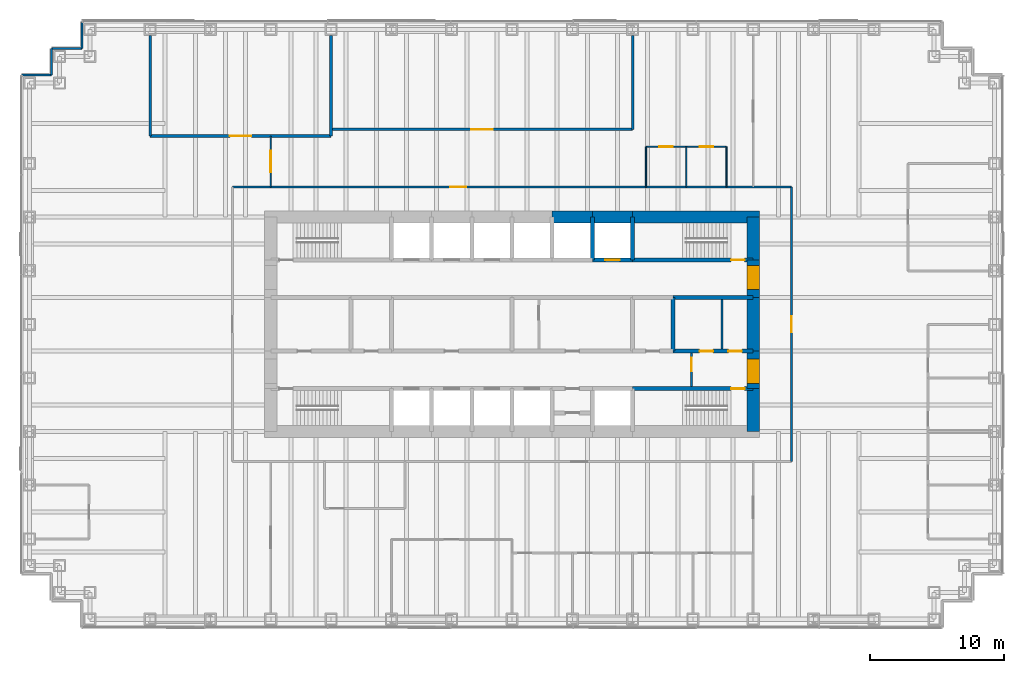
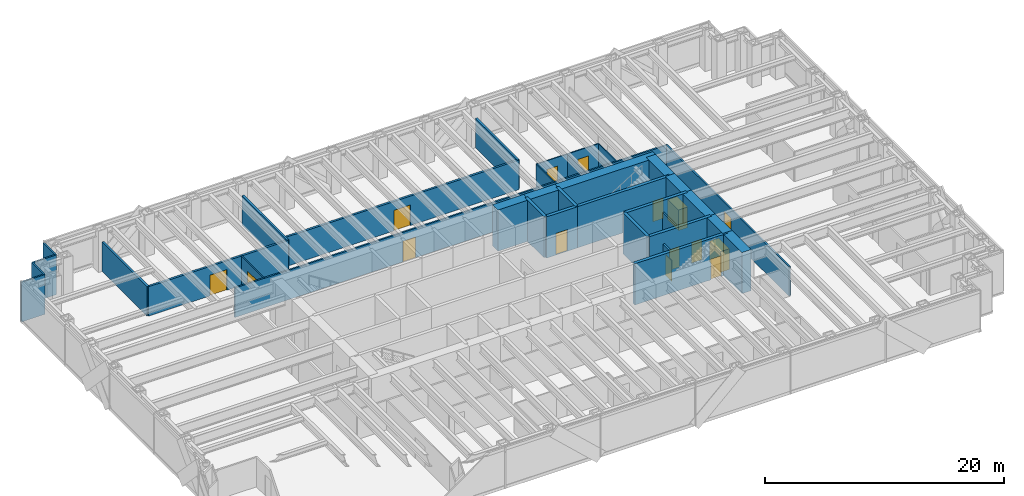
# One storey, part 15 of 17: 34 walls, 15 doors, 15 openings.
"""IFC4 building model written with IfcOpenShell, lengths in metres."""

import ifcopenshell
import ifcopenshell.guid

model = None  # the IFC model being written
_history = None  # IfcOwnerHistory: only IFC2X3 demands one
_inside = {}  # id of a spatial element -> (the spatial element, [elements in it])
_under = {}  # id of a project, library or spatial element -> (it, [spatial elements below it])
_declared = {}  # id of a project -> (the project, [libraries it declares])
_typed = {}  # id of a type object -> (the type object, [elements of that type])
_made_of = {}  # id of a material, layer set ... -> (it, [elements and type objects made of it])


def new_model(schema):
    """Start an empty IFC model of exactly this schema.

    Asked for "IFC4X3", IfcOpenShell would pick the latest addendum, in which some entities
    have other attributes; the version numbers below select the first issue.
    IFC2X3 requires an IfcOwnerHistory on every rooted entity: one is made here for all.
    """
    global model, _history
    if schema == "IFC4X3":
        model = ifcopenshell.file(schema_version=(4, 3, 0, 0))
    else:
        model = ifcopenshell.file(schema=schema)
    _inside.clear()
    _under.clear()
    _declared.clear()
    _typed.clear()
    _made_of.clear()
    _history = None
    if model.schema == "IFC2X3":
        org = make("IfcOrganization", Name="unknown")
        user = make(
            "IfcPersonAndOrganization",
            ThePerson=make("IfcPerson", FamilyName="unknown"),
            TheOrganization=org,
        )
        app = make(
            "IfcApplication",
            ApplicationDeveloper=org,
            Version="unknown",
            ApplicationFullName="unknown",
            ApplicationIdentifier="unknown",
        )
        _history = make(
            "IfcOwnerHistory",
            OwningUser=user,
            OwningApplication=app,
            ChangeAction="ADDED",
            CreationDate=0,
        )
    return model


def make(cls, **values):
    """One entity of the class cls with the attributes given. An attribute that is None is left unset."""
    return model.create_entity(
        cls, **{name: value for name, value in values.items() if value is not None}
    )


def rooted(cls, **values):
    """An entity with a GlobalId (a new one), such as an element, a storey or a relation."""
    return make(cls, GlobalId=ifcopenshell.guid.new(), OwnerHistory=_history, **values)


def si_unit(unit_type, name, prefix=None):
    """IfcSIUnit, for example si_unit("LENGTHUNIT", "METRE", prefix="MILLI")."""
    return make("IfcSIUnit", UnitType=unit_type, Prefix=prefix, Name=name)


def assignment(units):
    """IfcUnitAssignment: the units of a project."""
    return None if units is None else make("IfcUnitAssignment", Units=units)


def point(xyz):
    """IfcCartesianPoint."""
    return None if xyz is None else make("IfcCartesianPoint", Coordinates=xyz)


def direction(xyz):
    """IfcDirection."""
    return None if xyz is None else make("IfcDirection", DirectionRatios=xyz)


def frame(location, z_axis=None, x_axis=None):
    """IfcAxis2Placement3D, a coordinate frame: its origin and axes. An axis left out is left unset."""
    return make(
        "IfcAxis2Placement3D",
        Location=point(location),
        Axis=direction(z_axis),
        RefDirection=direction(x_axis),
    )


def frame_2d(location, x_axis=None):
    """IfcAxis2Placement2D, a coordinate frame in the plane: its origin and x axis."""
    return make(
        "IfcAxis2Placement2D", Location=point(location), RefDirection=direction(x_axis)
    )


def origin():
    """The frame at (0, 0, 0) with its axes left unset."""
    return frame((0.0, 0.0, 0.0))


def place(relative_to, where):
    """IfcLocalPlacement: puts the frame where relative to a parent placement (None: the world)."""
    return make(
        "IfcLocalPlacement", PlacementRelTo=relative_to, RelativePlacement=where
    )


def context(
    kind, dimensions, precision=None, world=None, true_north=None, identifier=None
):
    """IfcGeometricRepresentationContext, for example the 3D "Model" context."""
    return make(
        "IfcGeometricRepresentationContext",
        ContextIdentifier=identifier,
        ContextType=kind,
        CoordinateSpaceDimension=dimensions,
        Precision=precision,
        WorldCoordinateSystem=world,
        TrueNorth=true_north,
    )


def subcontext(parent, identifier, kind, view, scale=None):
    """IfcGeometricRepresentationSubContext, for example "Body" below "Model"."""
    return make(
        "IfcGeometricRepresentationSubContext",
        ContextIdentifier=identifier,
        ContextType=kind,
        ParentContext=parent,
        TargetScale=scale,
        TargetView=view,
    )


def project(units=None, contexts=None):
    """IfcProject with its units and contexts."""
    return rooted(
        "IfcProject",
        Name="project",
        RepresentationContexts=contexts,
        UnitsInContext=assignment(units),
    )


def spatial(cls, under=None, at=None, **own):
    """A site, building, storey or space (cls), placed at a placement, below another one or the project."""
    s = rooted(cls, ObjectPlacement=at, **own)
    if under is not None:
        _under.setdefault(under.id(), (under, []))[1].append(s)
    return s


def profile(cls, at=None, kind="AREA", **sizes):
    """A parametric profile (cls). Its sizes go by their IFC names, for example OverallWidth=200.0."""
    return make(cls, ProfileType=kind, Position=at, **sizes)


def rectangle(**sizes):
    """IfcRectangleProfileDef."""
    return profile("IfcRectangleProfileDef", **sizes)


def extrude(swept, where, along, depth):
    """IfcExtrudedAreaSolid: the profile swept, set in the frame where, extruded along a direction by depth."""
    return make(
        "IfcExtrudedAreaSolid",
        SweptArea=swept,
        Position=where,
        ExtrudedDirection=direction(along),
        Depth=depth,
    )


def shape(context_of_items, identifier, shape_type, items):
    """IfcShapeRepresentation: the items that make up one representation, for example the "Body"."""
    return make(
        "IfcShapeRepresentation",
        ContextOfItems=context_of_items,
        RepresentationIdentifier=identifier,
        RepresentationType=shape_type,
        Items=items,
    )


def material(Name=None, Category=None):
    """IfcMaterial."""
    return make("IfcMaterial", Name=Name, Category=Category)


def layer(
    of_material, thickness, ventilated=None, Name=None, Category=None, Priority=None
):
    """IfcMaterialLayer: one layer of a wall or slab, of a material (None: an air gap)."""
    return make(
        "IfcMaterialLayer",
        Material=of_material,
        LayerThickness=thickness,
        IsVentilated=ventilated,
        Name=Name,
        Category=Category,
        Priority=Priority,
    )


def layer_set(layers, Name=None):
    """IfcMaterialLayerSet."""
    return make("IfcMaterialLayerSet", MaterialLayers=layers, LayerSetName=Name)


def made_of(thing, what):
    """Note that an element or type object is made of a material, layer set ...; save() writes the relation."""
    if what is not None:
        _made_of.setdefault(what.id(), (what, []))[1].append(thing)
    return thing


def type_object(cls, material=None, **own):
    """A type object (cls), such as IfcWallType, which elements share."""
    return made_of(rooted(cls, **own), material)


def element(
    cls,
    number,
    at=None,
    inside=None,
    cuts=None,
    type_object=None,
    material=None,
    context=None,
    identifier="Body",
    shape_type=None,
    held_by="IfcProductDefinitionShape",
    body=None,
    shapes=None,
    **own,
):
    """One element of the class cls, such as IfcWall. Its Tag is "e" and its number.

    at: its placement. inside: the storey or other place that contains it. cuts: it is an
    opening in that element (IfcRelVoidsElement). A single representation is given by context,
    identifier, shape_type and body (its items); several are given by shapes. held_by: the class
    of the entity that holds the representations. save() writes the other relations.
    """
    e = rooted(cls, Tag="e%d" % number, ObjectPlacement=at, **own)
    if body is not None:
        shapes = [shape(context, identifier, shape_type, body)]
    if shapes is not None:
        e.Representation = make(held_by, Representations=shapes)
    if inside is not None:
        _inside.setdefault(inside.id(), (inside, []))[1].append(e)
    if cuts is not None:
        rooted(
            "IfcRelVoidsElement", RelatingBuildingElement=cuts, RelatedOpeningElement=e
        )
    if type_object is not None:
        _typed.setdefault(type_object.id(), (type_object, []))[1].append(e)
    return made_of(e, material)


def fill(opening, filler):
    """IfcRelFillsElement: the door or window that sits in an opening."""
    return rooted(
        "IfcRelFillsElement",
        RelatingOpeningElement=opening,
        RelatedBuildingElement=filler,
    )


def aggregate(whole, parts):
    """IfcRelAggregates: a whole, such as a stair, and the parts it consists of."""
    return rooted("IfcRelAggregates", RelatingObject=whole, RelatedObjects=parts)


def save(model, path):
    """Write the relations noted so far, then the file.

    IfcRelAggregates (storeys below a building ...), IfcRelContainedInSpatialStructure (elements
    in a storey), IfcRelDefinesByType, IfcRelAssociatesMaterial and IfcRelDeclares: one each for
    every whole, place, type object, material and project.
    """
    for whole, parts in _under.values():
        aggregate(whole, parts)
    for where, things in _inside.values():
        rooted(
            "IfcRelContainedInSpatialStructure",
            RelatedElements=things,
            RelatingStructure=where,
        )
    for kind, things in _typed.values():
        rooted("IfcRelDefinesByType", RelatedObjects=things, RelatingType=kind)
    for what, things in _made_of.values():
        rooted("IfcRelAssociatesMaterial", RelatedObjects=things, RelatingMaterial=what)
    for by, libraries in _declared.values():
        rooted("IfcRelDeclares", RelatingContext=by, RelatedDefinitions=libraries)
    model.write(path)


model = new_model("IFC4")

# Units and contexts
model_context = context("Model", 3, precision=1e-05, world=origin(), true_north=direction((0.0, 1.0)))
body_context = subcontext(model_context, "Body", "Model", "MODEL_VIEW")
ifc_project = project(units=[si_unit("LENGTHUNIT", "METRE"), si_unit("AREAUNIT", "SQUARE_METRE"), si_unit("VOLUMEUNIT", "CUBIC_METRE"), si_unit("PLANEANGLEUNIT", "RADIAN"), si_unit("MASSUNIT", "GRAM", prefix="KILO")], contexts=[model_context])

# Site, building, storey
site_placement = place(None, origin())
site = spatial("IfcSite", under=ifc_project, at=site_placement, CompositionType="ELEMENT")
building_placement = place(site_placement, origin())
building = spatial("IfcBuilding", under=site, at=building_placement, Name="Rheinbord Bourse Tower", CompositionType="ELEMENT")
storey_placement = place(building_placement, frame((0.0, 0.0, 129.89990234375)))
storey = spatial("IfcBuildingStorey", under=building, at=storey_placement, Name="L28", CompositionType="ELEMENT", Elevation=129.89990234375)

# Wall, opening, door
ifc_material_1 = material(Name="Acoustic gypsum board partition", Category="gypsum board")
ifc_layer_1 = layer(ifc_material_1, 0.199951171875)
ifc_layer_set_1 = layer_set([ifc_layer_1], Name="ACOUSTIC PARTITION 200")
wall_type_1 = type_object("IfcWallType", Name="ACOUSTIC PARTITION 200", PredefinedType="PARTITIONING", material=ifc_layer_set_1)
wall_1_placement = place(storey_placement, frame((9.0, 38.050048828125, 0.0), z_axis=(0.0, 0.0, 1.0), x_axis=(1.0, 0.0, 0.0)))
wall_1 = element("IfcWall", 1, at=wall_1_placement, inside=storey, type_object=wall_type_1, Name="Partition L28-18", PredefinedType="PARTITIONING", context=body_context, shape_type="SweptSolid", body=[
    extrude(rectangle(XDim=13.5, YDim=0.199951171875, at=frame_2d((6.75, 0.0))), origin(), (0.0, 0.0, 1.0), 3.0),
])
opening_1_placement = place(wall_1_placement, frame((5.949951171875, 0.0, 0.0)))
opening_1 = element("IfcOpeningElement", 2, at=opening_1_placement, cuts=wall_1, Name="Opening 28D15", PredefinedType="OPENING", context=body_context, shape_type="SweptSolid", body=[
    extrude(rectangle(XDim=1.60009765625, YDim=2.10009765625, at=frame_2d((0.800048828125, 1.050048828125))), frame((0.0, 0.10986328125, 0.0), z_axis=(0.0, -1.0, 0.0), x_axis=(1.0, 0.0, 0.0)), (0.0, 0.0, 1.0), 0.219970703125),
])
ifc_material_2 = material(Name="Timber door", Category="wood")
door_type_1 = type_object("IfcDoorType", Name="DOUBLE ROOM DOOR 1600", OperationType="DOUBLE_DOOR_DOUBLE_SWING", PredefinedType="DOOR", material=ifc_material_2)
door_1_placement = place(opening_1_placement, origin())
door_1 = element("IfcDoor", 3, at=door_1_placement, inside=storey, type_object=door_type_1, Name="Index committee room door L28", OperationType="SINGLE_SWING_LEFT", OverallHeight=2.10009765625, OverallWidth=1.60009765625, PredefinedType="DOOR", context=body_context, shape_type="SweptSolid", body=[
    extrude(rectangle(XDim=1.60009765625, YDim=2.10009765625, at=frame_2d((0.800048828125, 1.050048828125))), frame((0.0, 0.02490234375, 0.0), z_axis=(0.0, -1.0, 0.0), x_axis=(1.0, 0.0, 0.0)), (0.0, 0.0, 1.0), 0.050048828125),
])
fill(opening_1, door_1)

wall_2_placement = place(storey_placement, frame((22.5, 38.550048828125, 0.0), z_axis=(0.0, 0.0, 1.0), x_axis=(1.0, 0.0, 0.0)))
wall_2 = element("IfcWall", 4, at=wall_2_placement, inside=storey, type_object=wall_type_1, Name="Partition L28-19", PredefinedType="PARTITIONING", context=body_context, shape_type="SweptSolid", body=[
    extrude(rectangle(XDim=22.5, YDim=0.199951171875, at=frame_2d((11.25, 0.0))), origin(), (0.0, 0.0, 1.0), 3.0),
])
opening_2_placement = place(wall_2_placement, frame((10.449951171875, 0.0, 0.0)))
opening_2 = element("IfcOpeningElement", 5, at=opening_2_placement, cuts=wall_2, Name="Opening 28D16", PredefinedType="OPENING", context=body_context, shape_type="SweptSolid", body=[
    extrude(rectangle(XDim=1.60009765625, YDim=2.10009765625, at=frame_2d((0.800048828125, 1.050048828125))), frame((0.0, 0.10986328125, 0.0), z_axis=(0.0, -1.0, 0.0), x_axis=(1.0, 0.0, 0.0)), (0.0, 0.0, 1.0), 0.219970703125),
])
door_2_placement = place(opening_2_placement, origin())
door_2 = element("IfcDoor", 6, at=door_2_placement, inside=storey, type_object=door_type_1, Name="Data operations room door L28", OperationType="SINGLE_SWING_LEFT", OverallHeight=2.10009765625, OverallWidth=1.60009765625, PredefinedType="DOOR", context=body_context, shape_type="SweptSolid", body=[
    extrude(rectangle(XDim=1.60009765625, YDim=2.10009765625, at=frame_2d((0.800048828125, 1.050048828125))), frame((0.0, 0.02490234375, 0.0), z_axis=(0.0, -1.0, 0.0), x_axis=(1.0, 0.0, 0.0)), (0.0, 0.0, 1.0), 0.050048828125),
])
fill(opening_2, door_2)

# Walls
for number, where, z_axis, x_axis, name in (
    (7, (9.0, 38.050048828125, 0.0), (0.0, 0.0, 1.0), (0.0, 1.0, 0.0), "Partition L28-21"),
    (8, (22.5, 38.050048828125, 0.0), (0.0, 0.0, 1.0), (0.0, 1.0, 0.0), "Partition L28-26"),
):
    element("IfcWall", number, at=place(storey_placement, frame(where, z_axis=z_axis, x_axis=x_axis)), inside=storey, type_object=wall_type_1, Name=name, PredefinedType="PARTITIONING", context=body_context, shape_type="SweptSolid", body=[
        extrude(rectangle(XDim=7.5, YDim=0.199951171875, at=frame_2d((3.75, 0.0))), origin(), (0.0, 0.0, 1.0), 3.0),
    ])
wall_3_placement = place(storey_placement, frame((45.0, 38.550048828125, 0.0), z_axis=(0.0, 0.0, 1.0), x_axis=(0.0, 1.0, 0.0)))
element("IfcWall", 9, at=wall_3_placement, inside=storey, type_object=wall_type_1, Name="Partition L28-33", PredefinedType="PARTITIONING", context=body_context, shape_type="SweptSolid", body=[
    extrude(rectangle(XDim=7.0, YDim=0.199951171875, at=frame_2d((3.5, 0.0))), origin(), (0.0, 0.0, 1.0), 3.0),
])

# Wall, opening, door
ifc_material_3 = material(Name="Concrete C50/60", Category="concrete")
ifc_layer_2 = layer(ifc_material_3, 0.300048828125)
ifc_layer_set_2 = layer_set([ifc_layer_2], Name="CORE INNER WALL 300")
wall_type_2 = type_object("IfcWallType", Name="CORE INNER WALL 300", PredefinedType="SOLIDWALL", material=ifc_layer_set_2)
wall_4_placement = place(storey_placement, frame((45.0, 19.199951171875, 0.0), z_axis=(0.0, 0.0, 1.0), x_axis=(1.0, 0.0, 0.0)))
wall_4 = element("IfcWall", 10, at=wall_4_placement, inside=storey, type_object=wall_type_2, Name="Core wall A8 L28", PredefinedType="SOLIDWALL", context=body_context, shape_type="SweptSolid", body=[
    extrude(rectangle(XDim=9.0, YDim=0.300048828125, at=frame_2d((4.5, 0.0))), origin(), (0.0, 0.0, 1.0), 4.2001953125),
])
opening_3_placement = place(wall_4_placement, frame((7.35009765625, 0.0, 0.0)))
opening_3 = element("IfcOpeningElement", 11, at=opening_3_placement, cuts=wall_4, Name="Opening 2830", PredefinedType="OPENING", context=body_context, shape_type="SweptSolid", body=[
    extrude(rectangle(XDim=1.0, YDim=2.10009765625, at=frame_2d((0.5, 1.050048828125))), frame((0.0, 0.159912109375, 0.0), z_axis=(0.0, -1.0, 0.0), x_axis=(1.0, 0.0, 0.0)), (0.0, 0.0, 1.0), 0.320068359375),
])
ifc_material_4 = material(Name="Steel door", Category="steel")
door_type_2 = type_object("IfcDoorType", Name="DOOR 1000 EI30", OperationType="SINGLE_SWING_LEFT", PredefinedType="DOOR", material=ifc_material_4)
door_3_placement = place(opening_3_placement, origin())
door_3 = element("IfcDoor", 12, at=door_3_placement, inside=storey, type_object=door_type_2, Name="Stair door ST3 L28", OperationType="SINGLE_SWING_RIGHT", OverallHeight=2.10009765625, OverallWidth=1.0, PredefinedType="DOOR", context=body_context, shape_type="SweptSolid", body=[
    extrude(rectangle(XDim=1.0, YDim=2.10009765625, at=frame_2d((0.5, 1.050048828125))), frame((0.0, 0.02490234375, 0.0), z_axis=(0.0, -1.0, 0.0), x_axis=(1.0, 0.0, 0.0)), (0.0, 0.0, 1.0), 0.050048828125),
])
fill(opening_3, door_3)

wall_5_placement = place(storey_placement, frame((42.0, 28.800048828125, 0.0), z_axis=(0.0, 0.0, 1.0), x_axis=(1.0, 0.0, 0.0)))
wall_5 = element("IfcWall", 13, at=wall_5_placement, inside=storey, type_object=wall_type_2, Name="Core wall B7 L28", PredefinedType="SOLIDWALL", context=body_context, shape_type="SweptSolid", body=[
    extrude(rectangle(XDim=3.0, YDim=0.300048828125, at=frame_2d((1.5, 0.0))), origin(), (0.0, 0.0, 1.0), 4.2001953125),
])
opening_4_placement = place(wall_5_placement, frame((0.949951171875, 0.0, 0.0)))
opening_4 = element("IfcOpeningElement", 14, at=opening_4_placement, cuts=wall_5, Name="Opening FL2", PredefinedType="OPENING", context=body_context, shape_type="SweptSolid", body=[
    extrude(rectangle(XDim=1.10009765625, YDim=2.199951171875, at=frame_2d((0.550048828125, 1.10009765625))), frame((0.0, 0.159912109375, 0.0), z_axis=(0.0, -1.0, 0.0), x_axis=(1.0, 0.0, 0.0)), (0.0, 0.0, 1.0), 0.320068359375),
])
ifc_material_5 = material(Name="Steel landing door", Category="steel")
door_type_3 = type_object("IfcDoorType", Name="LIFT LANDING DOOR 1100", OperationType="DOUBLE_DOOR_SLIDING", PredefinedType="USERDEFINED", material=ifc_material_5)
door_4_placement = place(opening_4_placement, origin())
door_4 = element("IfcDoor", 15, at=door_4_placement, inside=storey, type_object=door_type_3, Name="Lift landing door FL2 L28", ObjectType="LIFT LANDING DOOR", OperationType="DOUBLE_DOOR_SLIDING", OverallHeight=2.199951171875, OverallWidth=1.10009765625, PredefinedType="USERDEFINED", context=body_context, shape_type="SweptSolid", body=[
    extrude(rectangle(XDim=1.10009765625, YDim=2.199951171875, at=frame_2d((0.550048828125, 1.10009765625))), frame((0.0, 0.02490234375, 0.0), z_axis=(0.0, -1.0, 0.0), x_axis=(1.0, 0.0, 0.0)), (0.0, 0.0, 1.0), 0.050048828125),
])
fill(opening_4, door_4)

wall_6_placement = place(storey_placement, frame((45.0, 28.800048828125, 0.0), z_axis=(0.0, 0.0, 1.0), x_axis=(1.0, 0.0, 0.0)))
wall_6 = element("IfcWall", 16, at=wall_6_placement, inside=storey, type_object=wall_type_2, Name="Core wall B8 L28", PredefinedType="SOLIDWALL", context=body_context, shape_type="SweptSolid", body=[
    extrude(rectangle(XDim=9.0, YDim=0.300048828125, at=frame_2d((4.5, 0.0))), origin(), (0.0, 0.0, 1.0), 4.2001953125),
])
opening_5_placement = place(wall_6_placement, frame((7.35009765625, 0.0, 0.0)))
opening_5 = element("IfcOpeningElement", 17, at=opening_5_placement, cuts=wall_6, Name="Opening 2840", PredefinedType="OPENING", context=body_context, shape_type="SweptSolid", body=[
    extrude(rectangle(XDim=1.0, YDim=2.10009765625, at=frame_2d((0.5, 1.050048828125))), frame((0.0, 0.159912109375, 0.0), z_axis=(0.0, -1.0, 0.0), x_axis=(1.0, 0.0, 0.0)), (0.0, 0.0, 1.0), 0.320068359375),
])
door_5_placement = place(opening_5_placement, origin())
door_5 = element("IfcDoor", 18, at=door_5_placement, inside=storey, type_object=door_type_2, Name="Stair door ST4 L28", OperationType="SINGLE_SWING_RIGHT", OverallHeight=2.10009765625, OverallWidth=1.0, PredefinedType="DOOR", context=body_context, shape_type="SweptSolid", body=[
    extrude(rectangle(XDim=1.0, YDim=2.10009765625, at=frame_2d((0.5, 1.050048828125))), frame((0.0, 0.02490234375, 0.0), z_axis=(0.0, -1.0, 0.0), x_axis=(1.0, 0.0, 0.0)), (0.0, 0.0, 1.0), 0.050048828125),
])
fill(opening_5, door_5)

# Wall, openings, doors
wall_7_placement = place(storey_placement, frame((48.0, 22.0, 0.0), z_axis=(0.0, 0.0, 1.0), x_axis=(1.0, 0.0, 0.0)))
wall_7 = element("IfcWall", 19, at=wall_7_placement, inside=storey, type_object=wall_type_2, Name="Core wall C6 L28", PredefinedType="SOLIDWALL", context=body_context, shape_type="SweptSolid", body=[
    extrude(rectangle(XDim=6.0, YDim=0.300048828125, at=frame_2d((3.0, 0.0))), origin(), (0.0, 0.0, 1.0), 4.2001953125),
])
opening_6_placement = place(wall_7_placement, frame((2.0, 0.0, 0.0)))
opening_6 = element("IfcOpeningElement", 20, at=opening_6_placement, cuts=wall_7, Name="Opening 28R6", PredefinedType="OPENING", context=body_context, shape_type="SweptSolid", body=[
    extrude(rectangle(XDim=1.0, YDim=2.10009765625, at=frame_2d((0.5, 1.050048828125))), frame((0.0, 0.159912109375, 0.0), z_axis=(0.0, -1.0, 0.0), x_axis=(1.0, 0.0, 0.0)), (0.0, 0.0, 1.0), 0.320068359375),
])
opening_7_placement = place(wall_7_placement, frame((4.14990234375, 0.0, 0.0)))
opening_7 = element("IfcOpeningElement", 21, at=opening_7_placement, cuts=wall_7, Name="Opening 28R10", PredefinedType="OPENING", context=body_context, shape_type="SweptSolid", body=[
    extrude(rectangle(XDim=1.0, YDim=2.10009765625, at=frame_2d((0.5, 1.050048828125))), frame((0.0, 0.159912109375, 0.0), z_axis=(0.0, -1.0, 0.0), x_axis=(1.0, 0.0, 0.0)), (0.0, 0.0, 1.0), 0.320068359375),
])
door_6_placement = place(opening_7_placement, origin())
door_6 = element("IfcDoor", 22, at=door_6_placement, inside=storey, type_object=door_type_2, Name="Cleaner's store door L28", OperationType="SINGLE_SWING_RIGHT", OverallHeight=2.10009765625, OverallWidth=1.0, PredefinedType="DOOR", context=body_context, shape_type="SweptSolid", body=[
    extrude(rectangle(XDim=1.0, YDim=2.10009765625, at=frame_2d((0.5, 1.050048828125))), frame((0.0, 0.02490234375, 0.0), z_axis=(0.0, -1.0, 0.0), x_axis=(1.0, 0.0, 0.0)), (0.0, 0.0, 1.0), 0.050048828125),
])
fill(opening_7, door_6)
ifc_material_6 = material(Name="Timber door", Category="wood")
door_type_4 = type_object("IfcDoorType", Name="DOOR 1000 WC", OperationType="SINGLE_SWING_LEFT", PredefinedType="DOOR", material=ifc_material_6)
door_7_placement = place(opening_6_placement, origin())
door_7 = element("IfcDoor", 23, at=door_7_placement, inside=storey, type_object=door_type_4, Name="WC women door L28", OperationType="SINGLE_SWING_LEFT", OverallHeight=2.10009765625, OverallWidth=1.0, PredefinedType="DOOR", context=body_context, shape_type="SweptSolid", body=[
    extrude(rectangle(XDim=1.0, YDim=2.10009765625, at=frame_2d((0.5, 1.050048828125))), frame((0.0, 0.02490234375, 0.0), z_axis=(0.0, -1.0, 0.0), x_axis=(1.0, 0.0, 0.0)), (0.0, 0.0, 1.0), 0.050048828125),
])
fill(opening_6, door_7)

# Walls
wall_8_placement = place(storey_placement, frame((48.0, 26.0, 0.0), z_axis=(0.0, 0.0, 1.0), x_axis=(1.0, 0.0, 0.0)))
element("IfcWall", 24, at=wall_8_placement, inside=storey, type_object=wall_type_2, Name="Core wall D6 L28", PredefinedType="SOLIDWALL", context=body_context, shape_type="SweptSolid", body=[
    extrude(rectangle(XDim=6.0, YDim=0.300048828125, at=frame_2d((3.0, 0.0))), origin(), (0.0, 0.0, 1.0), 4.2001953125),
])
for number, where, z_axis, x_axis, name in (
    (25, (42.0, 28.800048828125, 0.0), (0.0, 0.0, 1.0), (0.0, 1.0, 0.0), "Core wall NX42 L28"),
    (26, (45.0, 28.800048828125, 0.0), (0.0, 0.0, 1.0), (0.0, 1.0, 0.0), "Core wall NX45 L28"),
):
    element("IfcWall", number, at=place(storey_placement, frame(where, z_axis=z_axis, x_axis=x_axis)), inside=storey, type_object=wall_type_2, Name=name, PredefinedType="SOLIDWALL", context=body_context, shape_type="SweptSolid", body=[
        extrude(rectangle(XDim=3.199951171875, YDim=0.300048828125, at=frame_2d((1.60009765625, 0.0))), origin(), (0.0, 0.0, 1.0), 4.2001953125),
    ])
wall_9_placement = place(storey_placement, frame((48.0, 22.0, 0.0), z_axis=(0.0, 0.0, 1.0), x_axis=(0.0, 1.0, 0.0)))
element("IfcWall", 27, at=wall_9_placement, inside=storey, type_object=wall_type_2, Name="Core wall MX48 L28", PredefinedType="SOLIDWALL", context=body_context, shape_type="SweptSolid", body=[
    extrude(rectangle(XDim=4.0, YDim=0.300048828125, at=frame_2d((2.0, 0.0))), origin(), (0.0, 0.0, 1.0), 4.2001953125),
])
ifc_material_7 = material(Name="Gypsum board fire partition", Category="gypsum board")
ifc_layer_3 = layer(ifc_material_7, 0.14990234375)
ifc_layer_set_3 = layer_set([ifc_layer_3], Name="CORE PARTITION 150 EI30")
wall_type_3 = type_object("IfcWallType", Name="CORE PARTITION 150 EI30", PredefinedType="PARTITIONING", material=ifc_layer_set_3)
wall_10_placement = place(storey_placement, frame((51.675048828125, 22.14990234375, 0.0), z_axis=(0.0, 0.0, 1.0), x_axis=(0.0, 1.0, 0.0)))
element("IfcWall", 28, at=wall_10_placement, inside=storey, type_object=wall_type_3, Name="Core partition L28-3", PredefinedType="PARTITIONING", context=body_context, shape_type="SweptSolid", body=[
    extrude(rectangle(XDim=3.7001953125, YDim=0.14990234375, at=frame_2d((1.85009765625, 0.0))), origin(), (0.0, 0.0, 1.0), 3.0),
])

# Wall, opening, door
wall_11_placement = place(storey_placement, frame((49.39990234375, 19.35009765625, 0.0), z_axis=(0.0, 0.0, 1.0), x_axis=(0.0, 1.0, 0.0)))
wall_11 = element("IfcWall", 29, at=wall_11_placement, inside=storey, type_object=wall_type_3, Name="Core partition L28-4", PredefinedType="PARTITIONING", context=body_context, shape_type="SweptSolid", body=[
    extrude(rectangle(XDim=2.5, YDim=0.14990234375, at=frame_2d((1.25, 0.0))), origin(), (0.0, 0.0, 1.0), 3.0),
])
opening_8_placement = place(wall_11_placement, frame((1.14990234375, 0.0, 0.0)))
opening_8 = element("IfcOpeningElement", 30, at=opening_8_placement, cuts=wall_11, Name="Opening 28L5", PredefinedType="OPENING", context=body_context, shape_type="SweptSolid", body=[
    extrude(rectangle(XDim=1.0, YDim=2.10009765625, at=frame_2d((0.5, 1.050048828125))), frame((0.0, 0.0849609375, 0.0), z_axis=(0.0, -1.0, 0.0), x_axis=(1.0, 0.0, 0.0)), (0.0, 0.0, 1.0), 0.169921875),
])
door_8_placement = place(opening_8_placement, origin())
door_8 = element("IfcDoor", 31, at=door_8_placement, inside=storey, type_object=door_type_2, Name="Stair lobby door L28", OperationType="SINGLE_SWING_RIGHT", OverallHeight=2.10009765625, OverallWidth=1.0, PredefinedType="DOOR", context=body_context, shape_type="SweptSolid", body=[
    extrude(rectangle(XDim=1.0, YDim=2.10009765625, at=frame_2d((0.5, 1.050048828125))), frame((0.0, 0.02490234375, 0.0), z_axis=(0.0, -1.0, 0.0), x_axis=(1.0, 0.0, 0.0)), (0.0, 0.0, 1.0), 0.050048828125),
])
fill(opening_8, door_8)

# Walls
ifc_material_8 = material(Name="Concrete C50/60", Category="concrete")
ifc_layer_4 = layer(ifc_material_8, 0.89990234375)
ifc_layer_set_4 = layer_set([ifc_layer_4], Name="CORE WALL 900")
wall_type_4 = type_object("IfcWallType", Name="CORE WALL 900", PredefinedType="SHEAR", material=ifc_layer_set_4)
wall_12_placement = place(storey_placement, frame((54.449951171875, 32.0, 0.0), z_axis=(0.0, 0.0, 1.0), x_axis=(-1.0, 0.0, 0.0)))
element("IfcWall", 32, at=wall_12_placement, inside=storey, type_object=wall_type_4, Name="Core wall N1 L28", PredefinedType="SHEAR", context=body_context, shape_type="SweptSolid", body=[
    extrude(rectangle(XDim=9.449951171875, YDim=0.89990234375, at=frame_2d((4.72509765625, 0.0))), origin(), (0.0, 0.0, 1.0), 4.2001953125),
])
for number, where, z_axis, x_axis, name in (
    (33, (45.0, 32.0, 0.0), (0.0, 0.0, 1.0), (-1.0, 0.0, 0.0), "Core wall N2 L28"),
    (34, (42.0, 32.0, 0.0), (0.0, 0.0, 1.0), (-1.0, 0.0, 0.0), "Core wall N3 L28"),
):
    element("IfcWall", number, at=place(storey_placement, frame(where, z_axis=z_axis, x_axis=x_axis)), inside=storey, type_object=wall_type_4, Name=name, PredefinedType="SHEAR", context=body_context, shape_type="SweptSolid", body=[
        extrude(rectangle(XDim=3.0, YDim=0.89990234375, at=frame_2d((1.5, 0.0))), origin(), (0.0, 0.0, 1.0), 4.2001953125),
    ])
wall_13_placement = place(storey_placement, frame((54.0, 16.0, 0.0), z_axis=(0.0, 0.0, 1.0), x_axis=(0.0, 1.0, 0.0)))
element("IfcWall", 35, at=wall_13_placement, inside=storey, type_object=wall_type_4, Name="Core wall E1 L28", PredefinedType="SHEAR", context=body_context, shape_type="SweptSolid", body=[
    extrude(rectangle(XDim=3.199951171875, YDim=0.89990234375, at=frame_2d((1.60009765625, 0.0))), origin(), (0.0, 0.0, 1.0), 4.2001953125),
])

# Wall, opening, door
wall_14_placement = place(storey_placement, frame((54.0, 19.199951171875, 0.0), z_axis=(0.0, 0.0, 1.0), x_axis=(0.0, 1.0, 0.0)))
wall_14 = element("IfcWall", 36, at=wall_14_placement, inside=storey, type_object=wall_type_4, Name="Core wall E2 L28", PredefinedType="SHEAR", context=body_context, shape_type="SweptSolid", body=[
    extrude(rectangle(XDim=2.800048828125, YDim=0.89990234375, at=frame_2d((1.39990234375, 0.0))), origin(), (0.0, 0.0, 1.0), 4.2001953125),
])
opening_9_placement = place(wall_14_placement, frame((0.39990234375, 0.0, 0.0)))
opening_9 = element("IfcOpeningElement", 37, at=opening_9_placement, cuts=wall_14, Name="Opening 28L3", PredefinedType="OPENING", context=body_context, shape_type="SweptSolid", body=[
    extrude(rectangle(XDim=1.800048828125, YDim=2.10009765625, at=frame_2d((0.89990234375, 1.050048828125))), frame((0.0, 0.4599609375, 0.0), z_axis=(0.0, -1.0, 0.0), x_axis=(1.0, 0.0, 0.0)), (0.0, 0.0, 1.0), 0.919921875),
])
ifc_material_9 = material(Name="Steel door", Category="steel")
door_type_5 = type_object("IfcDoorType", Name="DOOR 1800 EI30 DOUBLE", OperationType="DOUBLE_DOOR_DOUBLE_SWING", PredefinedType="DOOR", material=ifc_material_9)
door_9_placement = place(opening_9_placement, origin())
door_9 = element("IfcDoor", 38, at=door_9_placement, inside=storey, type_object=door_type_5, Name="Lobby door 3 L28", OperationType="SINGLE_SWING_LEFT", OverallHeight=2.10009765625, OverallWidth=1.800048828125, PredefinedType="DOOR", context=body_context, shape_type="SweptSolid", body=[
    extrude(rectangle(XDim=1.800048828125, YDim=2.10009765625, at=frame_2d((0.89990234375, 1.050048828125))), frame((0.0, 0.44970703125, 0.0), z_axis=(0.0, -1.0, 0.0), x_axis=(1.0, 0.0, 0.0)), (0.0, 0.0, 1.0), 0.8994140625),
])
fill(opening_9, door_9)

# Wall
wall_15_placement = place(storey_placement, frame((54.0, 22.0, 0.0), z_axis=(0.0, 0.0, 1.0), x_axis=(0.0, 1.0, 0.0)))
element("IfcWall", 39, at=wall_15_placement, inside=storey, type_object=wall_type_4, Name="Core wall E3 L28", PredefinedType="SHEAR", context=body_context, shape_type="SweptSolid", body=[
    extrude(rectangle(XDim=4.0, YDim=0.89990234375, at=frame_2d((2.0, 0.0))), origin(), (0.0, 0.0, 1.0), 4.2001953125),
])

# Wall, opening, door
wall_16_placement = place(storey_placement, frame((54.0, 26.0, 0.0), z_axis=(0.0, 0.0, 1.0), x_axis=(0.0, 1.0, 0.0)))
wall_16 = element("IfcWall", 40, at=wall_16_placement, inside=storey, type_object=wall_type_4, Name="Core wall E4 L28", PredefinedType="SHEAR", context=body_context, shape_type="SweptSolid", body=[
    extrude(rectangle(XDim=2.800048828125, YDim=0.89990234375, at=frame_2d((1.39990234375, 0.0))), origin(), (0.0, 0.0, 1.0), 4.2001953125),
])
opening_10_placement = place(wall_16_placement, frame((0.60009765625, 0.0, 0.0)))
opening_10 = element("IfcOpeningElement", 41, at=opening_10_placement, cuts=wall_16, Name="Opening 28L4", PredefinedType="OPENING", context=body_context, shape_type="SweptSolid", body=[
    extrude(rectangle(XDim=1.800048828125, YDim=2.10009765625, at=frame_2d((0.89990234375, 1.050048828125))), frame((0.0, 0.4599609375, 0.0), z_axis=(0.0, -1.0, 0.0), x_axis=(1.0, 0.0, 0.0)), (0.0, 0.0, 1.0), 0.919921875),
])
door_10_placement = place(opening_10_placement, origin())
door_10 = element("IfcDoor", 42, at=door_10_placement, inside=storey, type_object=door_type_5, Name="Lobby door 4 L28", OperationType="SINGLE_SWING_LEFT", OverallHeight=2.10009765625, OverallWidth=1.800048828125, PredefinedType="DOOR", context=body_context, shape_type="SweptSolid", body=[
    extrude(rectangle(XDim=1.800048828125, YDim=2.10009765625, at=frame_2d((0.89990234375, 1.050048828125))), frame((0.0, 0.44970703125, 0.0), z_axis=(0.0, -1.0, 0.0), x_axis=(1.0, 0.0, 0.0)), (0.0, 0.0, 1.0), 0.8994140625),
])
fill(opening_10, door_10)

# Walls
wall_17_placement = place(storey_placement, frame((54.0, 28.800048828125, 0.0), z_axis=(0.0, 0.0, 1.0), x_axis=(0.0, 1.0, 0.0)))
element("IfcWall", 43, at=wall_17_placement, inside=storey, type_object=wall_type_4, Name="Core wall E5 L28", PredefinedType="SHEAR", context=body_context, shape_type="SweptSolid", body=[
    extrude(rectangle(XDim=3.199951171875, YDim=0.89990234375, at=frame_2d((1.60009765625, 0.0))), origin(), (0.0, 0.0, 1.0), 4.2001953125),
])
ifc_material_10 = material(Name="Black metal rainscreen panel", Category="aluminium")
ifc_layer_5 = layer(ifc_material_10, 0.14990234375)
ifc_layer_set_5 = layer_set([ifc_layer_5], Name="CORNER PIER CLADDING 150")
wall_type_5 = type_object("IfcWallType", Name="CORNER PIER CLADDING 150", PredefinedType="ELEMENTEDWALL", material=ifc_layer_set_5)
wall_18_placement = place(storey_placement, frame((3.89990234375, 46.60009765625, 0.0), z_axis=(0.0, 0.0, 1.0), x_axis=(0.0, -1.0, 0.0)))
element("IfcWall", 44, at=wall_18_placement, inside=storey, type_object=wall_type_5, Name="Corner pier cladding L28 12", PredefinedType="ELEMENTEDWALL", context=body_context, shape_type="SweptSolid", body=[
    extrude(rectangle(XDim=2.0, YDim=0.14990234375, at=frame_2d((1.0, 0.0))), origin(), (0.0, 0.0, 1.0), 4.0400390625),
])
wall_19_placement = place(storey_placement, frame((3.89990234375, 44.60009765625, 0.0), z_axis=(0.0, 0.0, 1.0), x_axis=(-1.0, 0.0, 0.0)))
element("IfcWall", 45, at=wall_19_placement, inside=storey, type_object=wall_type_5, Name="Corner pier cladding L28 13", PredefinedType="ELEMENTEDWALL", context=body_context, shape_type="SweptSolid", body=[
    extrude(rectangle(XDim=2.25, YDim=0.14990234375, at=frame_2d((1.125, 0.0))), origin(), (0.0, 0.0, 1.0), 4.0400390625),
])
wall_20_placement = place(storey_placement, frame((1.64990234375, 44.60009765625, 0.0), z_axis=(0.0, 0.0, 1.0), x_axis=(0.0, -1.0, 0.0)))
element("IfcWall", 46, at=wall_20_placement, inside=storey, type_object=wall_type_5, Name="Corner pier cladding L28 14", PredefinedType="ELEMENTEDWALL", context=body_context, shape_type="SweptSolid", body=[
    extrude(rectangle(XDim=2.0, YDim=0.14990234375, at=frame_2d((1.0, 0.0))), origin(), (0.0, 0.0, 1.0), 4.0400390625),
])
wall_21_placement = place(storey_placement, frame((1.64990234375, 42.60009765625, 0.0), z_axis=(0.0, 0.0, 1.0), x_axis=(-1.0, 0.0, 0.0)))
element("IfcWall", 47, at=wall_21_placement, inside=storey, type_object=wall_type_5, Name="Corner pier cladding L28 15", PredefinedType="ELEMENTEDWALL", context=body_context, shape_type="SweptSolid", body=[
    extrude(rectangle(XDim=2.25, YDim=0.14990234375, at=frame_2d((1.125, 0.0))), origin(), (0.0, 0.0, 1.0), 4.0400390625),
])

# Wall, opening, door
ifc_material_11 = material(Name="Gypsum board corridor partition", Category="gypsum board")
ifc_layer_6 = layer(ifc_material_11, 0.14990234375)
ifc_layer_set_6 = layer_set([ifc_layer_6], Name="CORRIDOR PARTITION 150 EI30")
wall_type_6 = type_object("IfcWallType", Name="CORRIDOR PARTITION 150 EI30", PredefinedType="PARTITIONING", material=ifc_layer_set_6)
wall_22_placement = place(storey_placement, frame((15.14990234375, 34.25, 0.0), z_axis=(0.0, 0.0, 1.0), x_axis=(1.0, 0.0, 0.0)))
wall_22 = element("IfcWall", 48, at=wall_22_placement, inside=storey, type_object=wall_type_6, Name="Partition L28-15", PredefinedType="PARTITIONING", context=body_context, shape_type="SweptSolid", body=[
    extrude(rectangle(XDim=41.7001953125, YDim=0.14990234375, at=frame_2d((20.85009765625, 0.0))), origin(), (0.0, 0.0, 1.0), 3.0),
])
opening_11_placement = place(wall_22_placement, frame((16.22509765625, 0.0, 0.0)))
opening_11 = element("IfcOpeningElement", 49, at=opening_11_placement, cuts=wall_22, Name="Opening 28D24", PredefinedType="OPENING", context=body_context, shape_type="SweptSolid", body=[
    extrude(rectangle(XDim=1.199951171875, YDim=2.10009765625, at=frame_2d((0.60009765625, 1.050048828125))), frame((0.0, 0.0849609375, 0.0), z_axis=(0.0, -1.0, 0.0), x_axis=(1.0, 0.0, 0.0)), (0.0, 0.0, 1.0), 0.169921875),
])
ifc_material_12 = material(Name="Timber fire door", Category="wood")
door_type_6 = type_object("IfcDoorType", Name="SUITE ENTRANCE DOOR 1200 EI30", OperationType="SINGLE_SWING_LEFT", PredefinedType="DOOR", material=ifc_material_12)
door_11_placement = place(opening_11_placement, origin())
door_11 = element("IfcDoor", 50, at=door_11_placement, inside=storey, type_object=door_type_6, Name="Suite entrance 4 door L28", OperationType="SINGLE_SWING_LEFT", OverallHeight=2.10009765625, OverallWidth=1.199951171875, PredefinedType="DOOR", context=body_context, shape_type="SweptSolid", body=[
    extrude(rectangle(XDim=1.199951171875, YDim=2.10009765625, at=frame_2d((0.60009765625, 1.050048828125))), frame((0.0, 0.02490234375, 0.0), z_axis=(0.0, -1.0, 0.0), x_axis=(1.0, 0.0, 0.0)), (0.0, 0.0, 1.0), 0.050048828125),
])
fill(opening_11, door_11)

wall_23_placement = place(storey_placement, frame((56.85009765625, 13.75, 0.0), z_axis=(0.0, 0.0, 1.0), x_axis=(0.0, 1.0, 0.0)))
wall_23 = element("IfcWall", 51, at=wall_23_placement, inside=storey, type_object=wall_type_6, Name="Partition L28-41", PredefinedType="PARTITIONING", context=body_context, shape_type="SweptSolid", body=[
    extrude(rectangle(XDim=20.5, YDim=0.14990234375, at=frame_2d((10.25, 0.0))), origin(), (0.0, 0.0, 1.0), 3.0),
])
opening_12_placement = place(wall_23_placement, frame((9.64990234375, 0.0, 0.0)))
opening_12 = element("IfcOpeningElement", 52, at=opening_12_placement, cuts=wall_23, Name="Opening 28D22", PredefinedType="OPENING", context=body_context, shape_type="SweptSolid", body=[
    extrude(rectangle(XDim=1.199951171875, YDim=2.10009765625, at=frame_2d((0.60009765625, 1.050048828125))), frame((0.0, 0.0849609375, 0.0), z_axis=(0.0, -1.0, 0.0), x_axis=(1.0, 0.0, 0.0)), (0.0, 0.0, 1.0), 0.169921875),
])
door_12_placement = place(opening_12_placement, origin())
door_12 = element("IfcDoor", 53, at=door_12_placement, inside=storey, type_object=door_type_6, Name="Suite entrance 2 door L28", OperationType="SINGLE_SWING_LEFT", OverallHeight=2.10009765625, OverallWidth=1.199951171875, PredefinedType="DOOR", context=body_context, shape_type="SweptSolid", body=[
    extrude(rectangle(XDim=1.199951171875, YDim=2.10009765625, at=frame_2d((0.60009765625, 1.050048828125))), frame((0.0, 0.02490234375, 0.0), z_axis=(0.0, -1.0, 0.0), x_axis=(1.0, 0.0, 0.0)), (0.0, 0.0, 1.0), 0.050048828125),
])
fill(opening_12, door_12)

# Wall, openings, doors
ifc_material_13 = material(Name="Toughened laminated glass partition", Category="glass")
ifc_layer_7 = layer(ifc_material_13, 0.10009765625)
ifc_layer_set_7 = layer_set([ifc_layer_7], Name="GLAZED PARTITION 100")
wall_type_7 = type_object("IfcWallType", Name="GLAZED PARTITION 100", PredefinedType="PARTITIONING", material=ifc_layer_set_7)
wall_24_placement = place(storey_placement, frame((46.0, 37.25, 0.0), z_axis=(0.0, 0.0, 1.0), x_axis=(1.0, 0.0, 0.0)))
wall_24 = element("IfcWall", 54, at=wall_24_placement, inside=storey, type_object=wall_type_7, Name="Partition L28-17", PredefinedType="PARTITIONING", context=body_context, shape_type="SweptSolid", body=[
    extrude(rectangle(XDim=6.0, YDim=0.10009765625, at=frame_2d((3.0, 0.0))), origin(), (0.0, 0.0, 1.0), 3.0),
])
opening_13_placement = place(wall_24_placement, frame((1.0, 0.0, 0.0)))
opening_13 = element("IfcOpeningElement", 55, at=opening_13_placement, cuts=wall_24, Name="Opening 28D13", PredefinedType="OPENING", context=body_context, shape_type="SweptSolid", body=[
    extrude(rectangle(XDim=1.0, YDim=2.10009765625, at=frame_2d((0.5, 1.050048828125))), frame((0.0, 0.06005859375, 0.0), z_axis=(0.0, -1.0, 0.0), x_axis=(1.0, 0.0, 0.0)), (0.0, 0.0, 1.0), 0.1201171875),
])
opening_14_placement = place(wall_24_placement, frame((4.0, 0.0, 0.0)))
opening_14 = element("IfcOpeningElement", 56, at=opening_14_placement, cuts=wall_24, Name="Opening 28D14", PredefinedType="OPENING", context=body_context, shape_type="SweptSolid", body=[
    extrude(rectangle(XDim=1.0, YDim=2.10009765625, at=frame_2d((0.5, 1.050048828125))), frame((0.0, 0.06005859375, 0.0), z_axis=(0.0, -1.0, 0.0), x_axis=(1.0, 0.0, 0.0)), (0.0, 0.0, 1.0), 0.1201171875),
])
ifc_material_14 = material(Name="Timber door", Category="wood")
door_type_7 = type_object("IfcDoorType", Name="ROOM DOOR 1000", OperationType="SINGLE_SWING_LEFT", PredefinedType="DOOR", material=ifc_material_14)
door_13_placement = place(opening_13_placement, origin())
door_13 = element("IfcDoor", 57, at=door_13_placement, inside=storey, type_object=door_type_7, Name="Quiet room door L28", OperationType="SINGLE_SWING_LEFT", OverallHeight=2.10009765625, OverallWidth=1.0, PredefinedType="DOOR", context=body_context, shape_type="SweptSolid", body=[
    extrude(rectangle(XDim=1.0, YDim=2.10009765625, at=frame_2d((0.5, 1.050048828125))), frame((0.0, 0.02490234375, 0.0), z_axis=(0.0, -1.0, 0.0), x_axis=(1.0, 0.0, 0.0)), (0.0, 0.0, 1.0), 0.050048828125),
])
fill(opening_13, door_13)
door_14_placement = place(opening_14_placement, origin())
door_14 = element("IfcDoor", 58, at=door_14_placement, inside=storey, type_object=door_type_7, Name="Quiet room door L28", OperationType="SINGLE_SWING_RIGHT", OverallHeight=2.10009765625, OverallWidth=1.0, PredefinedType="DOOR", context=body_context, shape_type="SweptSolid", body=[
    extrude(rectangle(XDim=1.0, YDim=2.10009765625, at=frame_2d((0.5, 1.050048828125))), frame((0.0, 0.02490234375, 0.0), z_axis=(0.0, -1.0, 0.0), x_axis=(1.0, 0.0, 0.0)), (0.0, 0.0, 1.0), 0.050048828125),
])
fill(opening_14, door_14)

# Wall, opening, door
wall_25_placement = place(storey_placement, frame((18.0, 34.25, 0.0), z_axis=(0.0, 0.0, 1.0), x_axis=(0.0, 1.0, 0.0)))
wall_25 = element("IfcWall", 59, at=wall_25_placement, inside=storey, type_object=wall_type_7, Name="Partition L28-24", PredefinedType="PARTITIONING", context=body_context, shape_type="SweptSolid", body=[
    extrude(rectangle(XDim=3.800048828125, YDim=0.10009765625, at=frame_2d((1.89990234375, 0.0))), origin(), (0.0, 0.0, 1.0), 3.0),
])
opening_15_placement = place(wall_25_placement, frame((1.10009765625, 0.0, 0.0)))
opening_15 = element("IfcOpeningElement", 60, at=opening_15_placement, cuts=wall_25, Name="Opening 28D18", PredefinedType="OPENING", context=body_context, shape_type="SweptSolid", body=[
    extrude(rectangle(XDim=1.60009765625, YDim=2.10009765625, at=frame_2d((0.800048828125, 1.050048828125))), frame((0.0, 0.06005859375, 0.0), z_axis=(0.0, -1.0, 0.0), x_axis=(1.0, 0.0, 0.0)), (0.0, 0.0, 1.0), 0.1201171875),
])
door_15_placement = place(opening_15_placement, origin())
door_15 = element("IfcDoor", 61, at=door_15_placement, inside=storey, type_object=door_type_1, Name="Open area door L28", OperationType="SINGLE_SWING_LEFT", OverallHeight=2.10009765625, OverallWidth=1.60009765625, PredefinedType="DOOR", context=body_context, shape_type="SweptSolid", body=[
    extrude(rectangle(XDim=1.60009765625, YDim=2.10009765625, at=frame_2d((0.800048828125, 1.050048828125))), frame((0.0, 0.02490234375, 0.0), z_axis=(0.0, -1.0, 0.0), x_axis=(1.0, 0.0, 0.0)), (0.0, 0.0, 1.0), 0.050048828125),
])
fill(opening_15, door_15)

# Walls
for number, where, z_axis, x_axis, name in (
    (62, (46.0, 34.25, 0.0), (0.0, 0.0, 1.0), (0.0, 1.0, 0.0), "Partition L28-34"),
    (63, (49.0, 34.25, 0.0), (0.0, 0.0, 1.0), (0.0, 1.0, 0.0), "Partition L28-35"),
    (64, (52.0, 34.25, 0.0), (0.0, 0.0, 1.0), (0.0, 1.0, 0.0), "Partition L28-37"),
):
    element("IfcWall", number, at=place(storey_placement, frame(where, z_axis=z_axis, x_axis=x_axis)), inside=storey, type_object=wall_type_7, Name=name, PredefinedType="PARTITIONING", context=body_context, shape_type="SweptSolid", body=[
        extrude(rectangle(XDim=3.0, YDim=0.10009765625, at=frame_2d((1.5, 0.0))), origin(), (0.0, 0.0, 1.0), 3.0),
    ])

save(model, "model.ifc")
